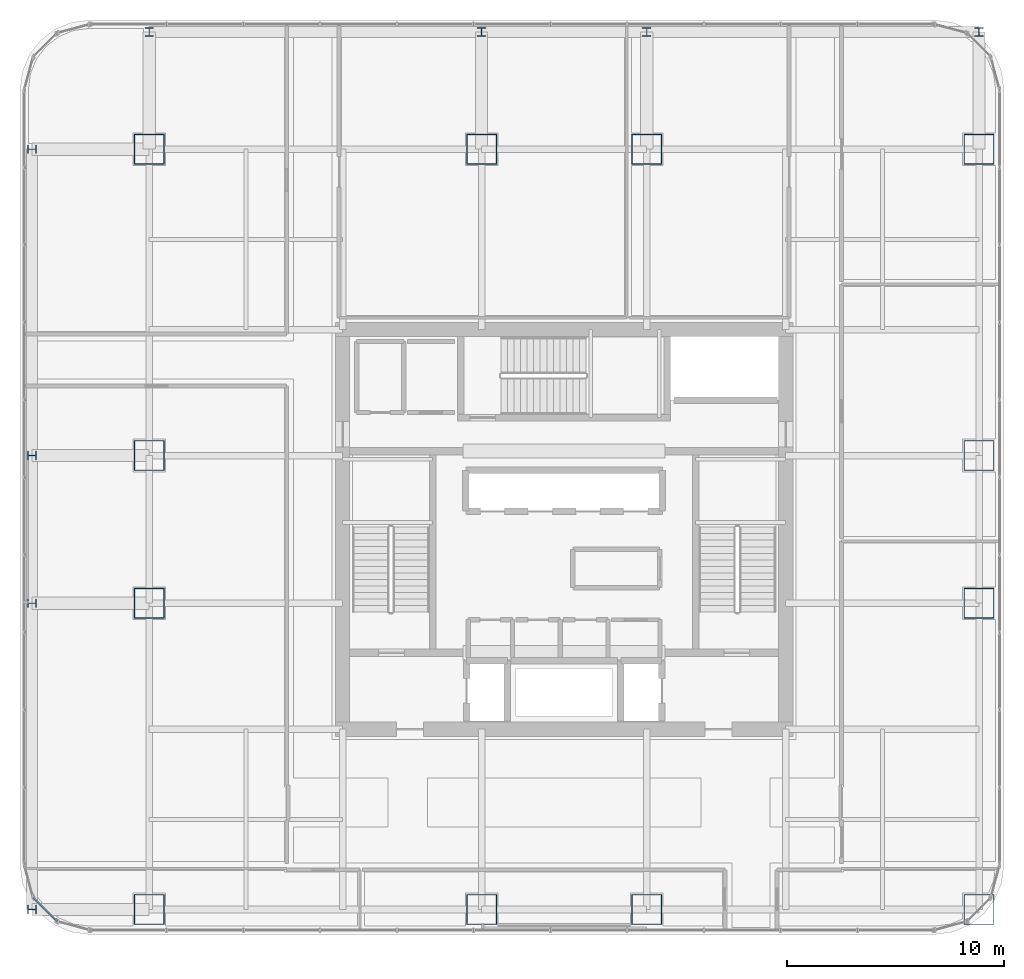
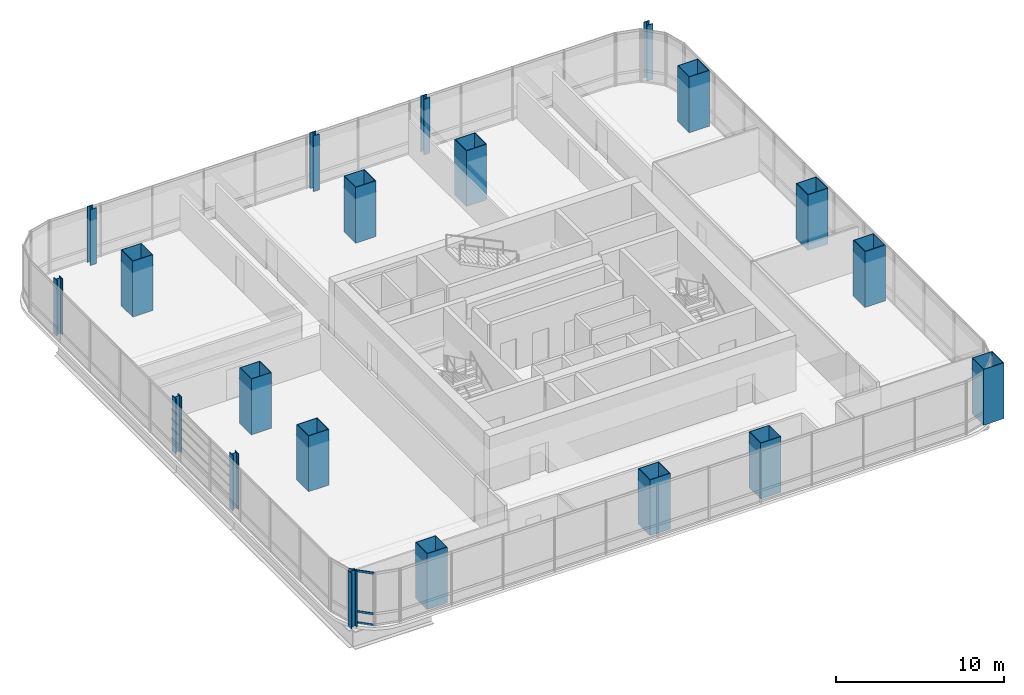
# One storey, part 1 of 38: 20 columns, 3 members, 1 element without a shape of its own.
"""IFC4 building model written with IfcOpenShell, lengths in metres."""

from ifc_helpers import new_model, si_unit, direction, frame, origin, origin_2d, place, context, subcontext, project, spatial, hollow_rectangle, i_section, extrude, material, material_profile, profile_set, type_object, element, aggregate, save


model = new_model("IFC4")

# Units and contexts
model_context = context("Model", 3, precision=1e-05, world=origin(), true_north=direction((0.0, 1.0)))
body_context = subcontext(model_context, "Body", "Model", "MODEL_VIEW")
ifc_project = project(units=[si_unit("LENGTHUNIT", "METRE"), si_unit("AREAUNIT", "SQUARE_METRE"), si_unit("VOLUMEUNIT", "CUBIC_METRE"), si_unit("PLANEANGLEUNIT", "RADIAN"), si_unit("MASSUNIT", "GRAM", prefix="KILO")], contexts=[model_context])

# Site, building, storey
site_placement = place(None, origin())
site = spatial("IfcSite", under=ifc_project, at=site_placement, CompositionType="ELEMENT")
building_placement = place(site_placement, origin())
building = spatial("IfcBuilding", under=site, at=building_placement, Name="Punatoya Terracotta Tower", CompositionType="ELEMENT")
storey_placement = place(building_placement, frame((0.0, 0.0, 160.050048828125)))
storey = spatial("IfcBuildingStorey", under=building, at=storey_placement, Name="L37", CompositionType="ELEMENT", Elevation=160.050048828125)

# Columns
ifc_material_1 = material(Name="Steel S460", Category="steel")
ifc_material_profile_1 = material_profile(ifc_material_1, i_section(OverallWidth=0.408935546875, OverallDepth=0.425048828125, WebThickness=0.031982421875, FlangeThickness=0.052001953125, FilletRadius=0.01806640625, at=origin_2d()))
ifc_profile_set_1 = profile_set([ifc_material_profile_1], Name="Steel S460")
column_type_1 = type_object("IfcColumnType", Name="COL-EX-M2", PredefinedType="COLUMN", material=ifc_profile_set_1)
for number, where, z_axis, x_axis, name in (
    (1, (-19.10009765625, 22.89990234375, 0.0), (0.0, 0.0, 1.0), (1.0, 0.0, 0.0), "L37 Exoskeleton Perimeter Column N1"),
    (2, (-3.800048828125, 22.89990234375, 0.0), (0.0, 0.0, 1.0), (1.0, 0.0, 0.0), "L37 Exoskeleton Perimeter Column N2"),
    (3, (3.800048828125, 22.89990234375, 0.0), (0.0, 0.0, 1.0), (1.0, 0.0, 0.0), "L37 Exoskeleton Perimeter Column N3"),
    (4, (19.10009765625, 22.89990234375, 0.0), (0.0, 0.0, 1.0), (1.0, 0.0, 0.0), "L37 Exoskeleton Perimeter Column N4"),
    (5, (-24.5, -17.5, 0.0), (0.0, 0.0, 1.0), (0.0, 1.0, 0.0), "L37 Exoskeleton Perimeter Column W1"),
    (6, (-24.5, -3.39990234375, 0.0), (0.0, 0.0, 1.0), (0.0, 1.0, 0.0), "L37 Exoskeleton Perimeter Column W2"),
    (7, (-24.5, 3.39990234375, 0.0), (0.0, 0.0, 1.0), (0.0, 1.0, 0.0), "L37 Exoskeleton Perimeter Column W3"),
    (8, (-24.5, 17.5, 0.0), (0.0, 0.0, 1.0), (0.0, 1.0, 0.0), "L37 Exoskeleton Perimeter Column W4"),
):
    element("IfcColumn", number, at=place(storey_placement, frame(where, z_axis=z_axis, x_axis=x_axis)), inside=storey, type_object=column_type_1, Name=name, PredefinedType="COLUMN", context=body_context, shape_type="SweptSolid", body=[
        extrude(i_section(OverallWidth=0.408935546875, OverallDepth=0.425048828125, WebThickness=0.031982421875, FlangeThickness=0.052001953125, FilletRadius=0.01806640625, at=origin_2d()), origin(), (0.0, 0.0, 1.0), 4.0478515625),
    ])
ifc_material_profile_2 = material_profile(ifc_material_1, hollow_rectangle(XDim=1.39990234375, YDim=1.39990234375, WallThickness=0.0419921875, at=origin_2d()))
ifc_profile_set_2 = profile_set([ifc_material_profile_2], Name="Steel S460")
column_type_2 = type_object("IfcColumnType", Name="COL-MC-Z2", PredefinedType="COLUMN", material=ifc_profile_set_2)
for number, where, z_axis, x_axis, name in (
    (9, (-19.10009765625, -17.5, 0.0), (0.0, 0.0, 1.0), (1.0, 0.0, 0.0), "L37 Composite Mega-Column MC-01 (3-B)"),
    (10, (-3.800048828125, -17.5, 0.0), (0.0, 0.0, 1.0), (1.0, 0.0, 0.0), "L37 Composite Mega-Column MC-02 (5-B)"),
    (11, (3.800048828125, -17.5, 0.0), (0.0, 0.0, 1.0), (1.0, 0.0, 0.0), "L37 Composite Mega-Column MC-03 (7-B)"),
    (12, (19.10009765625, -17.5, 0.0), (0.0, 0.0, 1.0), (1.0, 0.0, 0.0), "L37 Composite Mega-Column MC-04 (9-B)"),
    (13, (19.10009765625, -3.39990234375, 0.0), (0.0, 0.0, 1.0), (1.0, 0.0, 0.0), "L37 Composite Mega-Column MC-05 (9-D)"),
    (14, (19.10009765625, 3.39990234375, 0.0), (0.0, 0.0, 1.0), (1.0, 0.0, 0.0), "L37 Composite Mega-Column MC-06 (9-E)"),
    (15, (19.10009765625, 17.5, 0.0), (0.0, 0.0, 1.0), (1.0, 0.0, 0.0), "L37 Composite Mega-Column MC-07 (9-G)"),
    (16, (3.800048828125, 17.5, 0.0), (0.0, 0.0, 1.0), (1.0, 0.0, 0.0), "L37 Composite Mega-Column MC-08 (7-G)"),
    (17, (-3.800048828125, 17.5, 0.0), (0.0, 0.0, 1.0), (1.0, 0.0, 0.0), "L37 Composite Mega-Column MC-09 (5-G)"),
    (18, (-19.10009765625, 17.5, 0.0), (0.0, 0.0, 1.0), (1.0, 0.0, 0.0), "L37 Composite Mega-Column MC-10 (3-G)"),
    (19, (-19.10009765625, 3.39990234375, 0.0), (0.0, 0.0, 1.0), (1.0, 0.0, 0.0), "L37 Composite Mega-Column MC-11 (3-E)"),
    (20, (-19.10009765625, -3.39990234375, 0.0), (0.0, 0.0, 1.0), (1.0, 0.0, 0.0), "L37 Composite Mega-Column MC-12 (3-D)"),
):
    element("IfcColumn", number, at=place(storey_placement, frame(where, z_axis=z_axis, x_axis=x_axis)), inside=storey, type_object=column_type_2, Name=name, PredefinedType="COLUMN", context=body_context, shape_type="SweptSolid", body=[
        extrude(hollow_rectangle(XDim=1.39990234375, YDim=1.39990234375, WallThickness=0.0419921875, at=origin_2d()), origin(), (0.0, 0.0, 1.0), 4.050048828125),
    ])

# Curtain wall, members
ifc_material_2 = material(Name="Aluminium 6063-T6 + Double Low-E Glass", Category="aluminium")
curtain_wall_type = type_object("IfcCurtainWallType", Name="CW-M2", PredefinedType="NOTDEFINED", material=ifc_material_2)
curtain_wall_placement = place(storey_placement, origin())
curtain_wall = element("IfcCurtainWall", 21, at=curtain_wall_placement, inside=storey, type_object=curtain_wall_type, Name="L37 Curtain Wall CW-L37-CRN15", PredefinedType="NOTDEFINED")
ifc_material_3 = material(Name="Aluminium 6063-T6", Category="aluminium")
ifc_material_profile_3 = material_profile(ifc_material_3, hollow_rectangle(XDim=0.068115234375, YDim=0.14990234375, WallThickness=0.00390625, at=origin_2d()))
ifc_profile_set_3 = profile_set([ifc_material_profile_3], Name="Aluminium 6063-T6")
member_type = type_object("IfcMemberType", Name="CW-TRN-TYP", PredefinedType="USERDEFINED", material=ifc_profile_set_3)
member_1_placement = place(storey_placement, frame((-24.446533203125, -16.94921875, 0.0400390625), z_axis=(0.707106781187, -0.707106781187, 0.0), x_axis=(0.707106781187, 0.707106781187, 0.0)))
member_1 = element("IfcMember", 22, at=member_1_placement, type_object=member_type, Name="CW-L37-CRN15 Transom 1", ObjectType="TRANSOM", PredefinedType="USERDEFINED", context=body_context, shape_type="SweptSolid", body=[
    extrude(hollow_rectangle(XDim=0.068115234375, YDim=0.14990234375, WallThickness=0.00390625, at=origin_2d()), origin(), (0.0, 0.0, 1.0), 1.552001953125),
])
member_2_placement = place(storey_placement, frame((-24.446533203125, -16.94921875, 0.849853515625), z_axis=(0.707106781187, -0.707106781187, 0.0), x_axis=(0.707106781187, 0.707106781187, 0.0)))
member_2 = element("IfcMember", 23, at=member_2_placement, type_object=member_type, Name="CW-L37-CRN15 Transom 2", ObjectType="TRANSOM", PredefinedType="USERDEFINED", context=body_context, shape_type="SweptSolid", body=[
    extrude(hollow_rectangle(XDim=0.068115234375, YDim=0.14990234375, WallThickness=0.00390625, at=origin_2d()), origin(), (0.0, 0.0, 1.0), 1.552001953125),
])
member_3_placement = place(storey_placement, frame((-24.446533203125, -16.94921875, 3.7900390625), z_axis=(0.707106781187, -0.707106781187, 0.0), x_axis=(0.707106781187, 0.707106781187, 0.0)))
member_3 = element("IfcMember", 24, at=member_3_placement, type_object=member_type, Name="CW-L37-CRN15 Transom 3", ObjectType="TRANSOM", PredefinedType="USERDEFINED", context=body_context, shape_type="SweptSolid", body=[
    extrude(hollow_rectangle(XDim=0.068115234375, YDim=0.14990234375, WallThickness=0.00390625, at=origin_2d()), origin(), (0.0, 0.0, 1.0), 1.552001953125),
])
aggregate(curtain_wall, [member_1, member_2, member_3])

save(model, "model.ifc")
